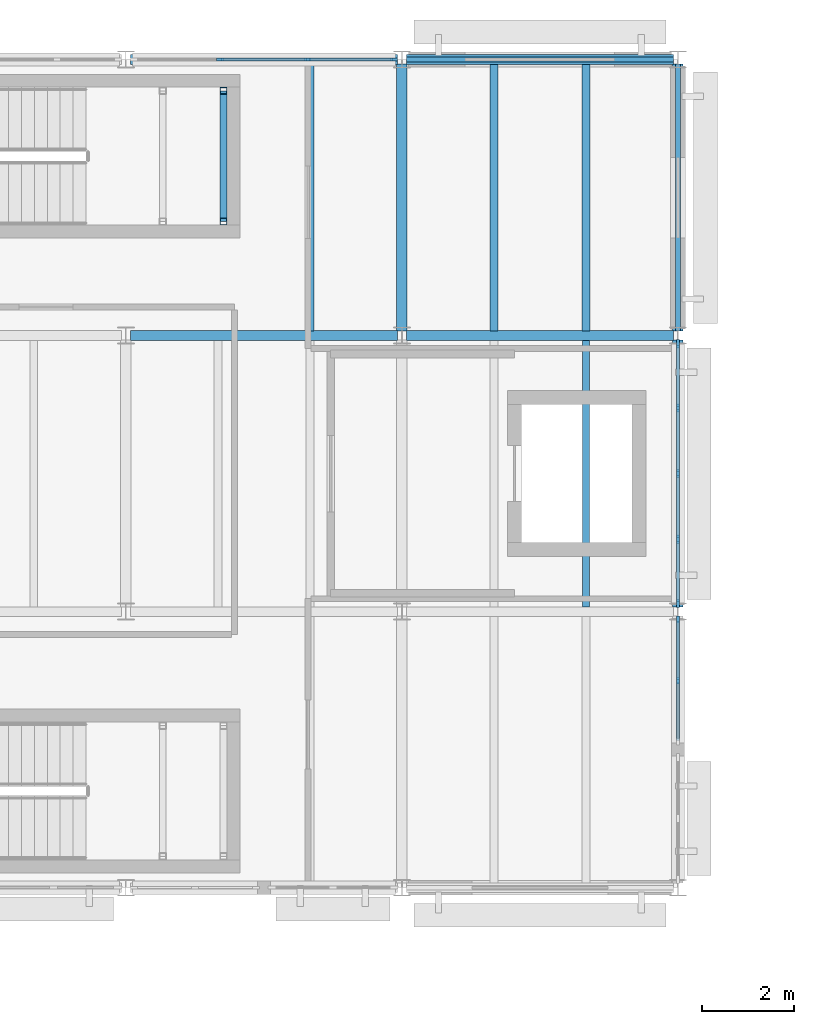
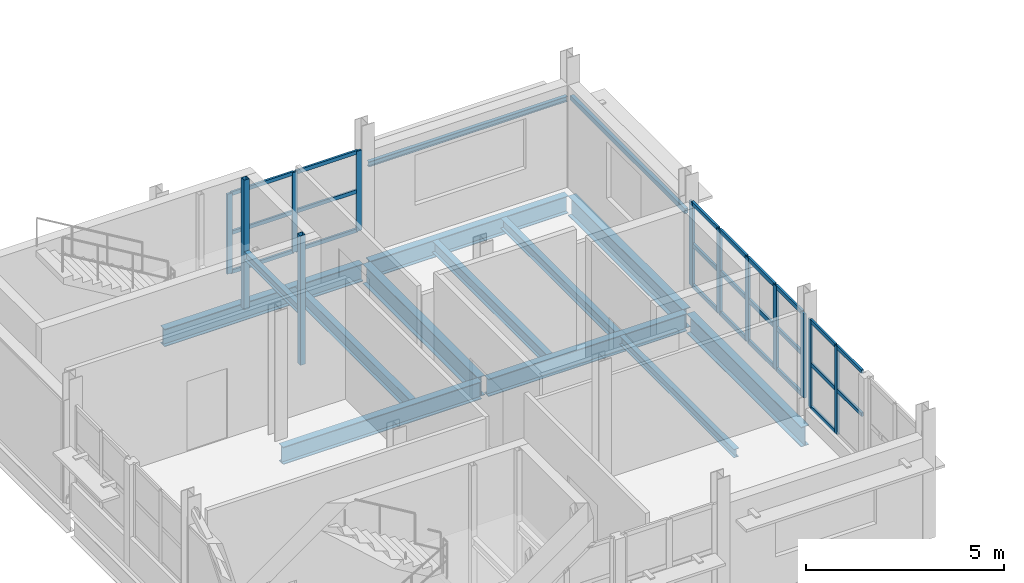
# One storey, part 32 of 92: 35 members, 14 beams, 3 elements without a shape of their own.
"""IFC4 building model written with IfcOpenShell, lengths in metres."""

from ifc_helpers import new_model, si_unit, direction, frame, origin, origin_2d, place, context, subcontext, project, spatial, rectangle, hollow_rectangle, i_section, extrude, material, material_profile, profile_set, type_object, element, aggregate, save


model = new_model("IFC4")

# Units and contexts
model_context = context("Model", 3, precision=1e-05, world=origin(), true_north=direction((0.0, 1.0)))
body_context = subcontext(model_context, "Body", "Model", "MODEL_VIEW")
ifc_project = project(units=[si_unit("LENGTHUNIT", "METRE"), si_unit("AREAUNIT", "SQUARE_METRE"), si_unit("VOLUMEUNIT", "CUBIC_METRE"), si_unit("PLANEANGLEUNIT", "RADIAN"), si_unit("MASSUNIT", "GRAM", prefix="KILO")], contexts=[model_context])

# Site, building, storey
site_placement = place(None, origin())
site = spatial("IfcSite", under=ifc_project, at=site_placement, CompositionType="ELEMENT")
building_placement = place(site_placement, origin())
building = spatial("IfcBuilding", under=site, at=building_placement, Name="Siltcreek Boulevard Central Fire Station", CompositionType="ELEMENT")
storey_placement = place(building_placement, frame((0.0, 0.0, 6.0)))
storey = spatial("IfcBuildingStorey", under=building, at=storey_placement, Name="L02", CompositionType="ELEMENT", Elevation=6.0)

# Beams
ifc_material_1 = material(Name="Structural steel ASTM A992 Gr50", Category="steel")
ifc_material_profile_1 = material_profile(ifc_material_1, i_section(OverallWidth=0.2109375, OverallDepth=0.5390625, WebThickness=0.01171875, FlangeThickness=0.018798828125, at=origin_2d()), Name="W530X109")
ifc_profile_set_1 = profile_set([ifc_material_profile_1], Name="Structural steel ASTM A992 Gr50")
beam_type_1 = type_object("IfcBeamType", Name="BM_W530X109", PredefinedType="BEAM", material=ifc_profile_set_1)
for number, where, z_axis, x_axis, name in (
    (1, (48.10009765625, 106.199951171875, -0.589599609375), (1.0, 0.0, 0.0), (0.0, 1.0, 0.0), "L02 primary steel girder GX-0123"),
    (2, (54.10009765625, 106.199951171875, -0.589599609375), (1.0, 0.0, 0.0), (0.0, 1.0, 0.0), "L02 primary steel girder GX-0124"),
    (3, (48.10009765625, 112.199951171875, -0.589599609375), (1.0, 0.0, 0.0), (0.0, 1.0, 0.0), "L02 primary steel girder GX-0126"),
    (4, (54.10009765625, 112.199951171875, -0.589599609375), (1.0, 0.0, 0.0), (0.0, 1.0, 0.0), "L02 primary steel girder GX-0127"),
):
    element("IfcBeam", number, at=place(storey_placement, frame(where, z_axis=z_axis, x_axis=x_axis)), inside=storey, type_object=beam_type_1, Name=name, PredefinedType="BEAM", context=body_context, shape_type="SweptSolid", body=[
        extrude(i_section(OverallWidth=0.2109375, OverallDepth=0.5390625, WebThickness=0.01171875, FlangeThickness=0.018798828125, at=origin_2d()), origin(), (0.0, 0.0, 1.0), 5.7998046875),
    ])
ifc_material_profile_2 = material_profile(ifc_material_1, i_section(OverallWidth=0.22802734375, OverallDepth=0.60791015625, WebThickness=0.01123046875, FlangeThickness=0.017333984375, at=origin_2d()), Name="W610X113")
ifc_profile_set_2 = profile_set([ifc_material_profile_2], Name="Structural steel ASTM A992 Gr50")
beam_type_2 = type_object("IfcBeamType", Name="BM_W610X113", PredefinedType="BEAM", material=ifc_profile_set_2)
for number, where, z_axis, x_axis, name in (
    (5, (54.0, 106.300048828125, -0.6240234375), (0.0, 1.0, 0.0), (-1.0, 0.0, 0.0), "L02 primary steel girder GY-0134"),
    (6, (60.0, 100.300048828125, -0.6240234375), (0.0, 1.0, 0.0), (-1.0, 0.0, 0.0), "L02 primary steel girder GY-0136"),
    (7, (60.0, 106.300048828125, -0.6240234375), (0.0, 1.0, 0.0), (-1.0, 0.0, 0.0), "L02 primary steel girder GY-0137"),
):
    element("IfcBeam", number, at=place(storey_placement, frame(where, z_axis=z_axis, x_axis=x_axis)), inside=storey, type_object=beam_type_2, Name=name, PredefinedType="BEAM", context=body_context, shape_type="SweptSolid", body=[
        extrude(i_section(OverallWidth=0.22802734375, OverallDepth=0.60791015625, WebThickness=0.01123046875, FlangeThickness=0.017333984375, at=origin_2d()), origin(), (0.0, 0.0, 1.0), 5.800048828125),
    ])

# Members
ifc_material_2 = material(Name="Structural steel ASTM A500 GrC", Category="steel")
ifc_material_profile_3 = material_profile(ifc_material_2, hollow_rectangle(XDim=0.14990234375, YDim=0.14990234375, WallThickness=0.008056640625, at=origin_2d()), Name="HSS150X150X8.0")
ifc_profile_set_3 = profile_set([ifc_material_profile_3], Name="Structural steel ASTM A500 GrC")
member_type_1 = type_object("IfcMemberType", Name="BR_HSS150_8", PredefinedType="BRACE", material=ifc_profile_set_3)
for number, where, z_axis, x_axis, name in (
    (8, (50.1201171875, 108.679931640625, 0.0), (0.0, 0.0, 1.0), (1.0, 0.0, 0.0), "L02 ST-V3B stair landing corner post SE"),
    (9, (50.1201171875, 111.52001953125, 0.0), (0.0, 0.0, 1.0), (1.0, 0.0, 0.0), "L02 ST-V3B stair landing corner post NE"),
):
    element("IfcMember", number, at=place(storey_placement, frame(where, z_axis=z_axis, x_axis=x_axis)), inside=storey, type_object=member_type_1, Name=name, PredefinedType="BRACE", context=body_context, shape_type="SweptSolid", body=[
        extrude(hollow_rectangle(XDim=0.14990234375, YDim=0.14990234375, WallThickness=0.008056640625, at=origin_2d()), origin(), (0.0, 0.0, 1.0), 4.0),
    ])

# Curtain wall, members
ifc_material_3 = material(Name="Anodized aluminum and low-E insulated glazing", Category="aluminium")
curtain_wall_type_1 = type_object("IfcCurtainWallType", Name="CW_SYS_10", PredefinedType="USERDEFINED", material=ifc_material_3)
curtain_wall_1_placement = place(storey_placement, origin())
curtain_wall_1 = element("IfcCurtainWall", 10, at=curtain_wall_1_placement, inside=storey, type_object=curtain_wall_type_1, Name="L02 V3 unitised curtain wall CW-039", ObjectType="CURTAIN WALL", PredefinedType="USERDEFINED")
ifc_material_4 = material(Name="Anodized 6063-T6 aluminum framing", Category="aluminium")
ifc_material_profile_4 = material_profile(ifc_material_4, rectangle(XDim=0.06005859375, YDim=0.14990234375, at=origin_2d()), Name="MULL60X150")
ifc_profile_set_4 = profile_set([ifc_material_profile_4], Name="Anodized 6063-T6 aluminum framing")
member_type_2 = type_object("IfcMemberType", Name="CWM_60X150", PredefinedType="MULLION", material=ifc_profile_set_4)
member_1_placement = place(storey_placement, frame((53.824951171875, 112.199951171875, 0.679931640625), z_axis=(0.0, 0.0, 1.0), x_axis=(0.0, -1.0, 0.0)))
member_1 = element("IfcMember", 11, at=member_1_placement, type_object=member_type_2, Name="CW-039 mullion 1", PredefinedType="MULLION", context=body_context, shape_type="SweptSolid", body=[
    extrude(rectangle(XDim=0.06005859375, YDim=0.14990234375, at=origin_2d()), origin(), (0.0, 0.0, 1.0), 2.47314453125),
])
member_2_placement = place(storey_placement, frame((51.95166015625, 112.199951171875, 0.679931640625), z_axis=(0.0, 0.0, 1.0), x_axis=(0.0, -1.0, 0.0)))
member_2 = element("IfcMember", 12, at=member_2_placement, type_object=member_type_2, Name="CW-039 mullion 2", PredefinedType="MULLION", context=body_context, shape_type="SweptSolid", body=[
    extrude(rectangle(XDim=0.06005859375, YDim=0.14990234375, at=origin_2d()), origin(), (0.0, 0.0, 1.0), 2.47314453125),
])
member_3_placement = place(storey_placement, frame((50.04833984375, 112.199951171875, 0.679931640625), z_axis=(0.0, 0.0, 1.0), x_axis=(0.0, -1.0, 0.0)))
member_3 = element("IfcMember", 13, at=member_3_placement, type_object=member_type_2, Name="CW-039 mullion 3", PredefinedType="MULLION", context=body_context, shape_type="SweptSolid", body=[
    extrude(rectangle(XDim=0.06005859375, YDim=0.14990234375, at=origin_2d()), origin(), (0.0, 0.0, 1.0), 2.47314453125),
])

curtain_wall_type_2 = type_object("IfcCurtainWallType", Name="CW_SYS_14", PredefinedType="USERDEFINED", material=ifc_material_3)
curtain_wall_2_placement = place(storey_placement, origin())
curtain_wall_2 = element("IfcCurtainWall", 14, at=curtain_wall_2_placement, inside=storey, type_object=curtain_wall_type_2, Name="L02 V3 unitised curtain wall CW-043", ObjectType="CURTAIN WALL", PredefinedType="USERDEFINED")
member_4_placement = place(storey_placement, frame((60.0, 98.697509765625, 0.43994140625), z_axis=(0.0, 0.0, 1.0), x_axis=(-1.0, 0.0, 0.0)))
member_4 = element("IfcMember", 15, at=member_4_placement, type_object=member_type_2, Name="CW-043 mullion 2", PredefinedType="MULLION", context=body_context, shape_type="SweptSolid", body=[
    extrude(rectangle(XDim=0.06005859375, YDim=0.14990234375, at=origin_2d()), origin(), (0.0, 0.0, 1.0), 2.717041015625),
])
member_5_placement = place(storey_placement, frame((60.0, 100.02490234375, 0.43994140625), z_axis=(0.0, 0.0, 1.0), x_axis=(-1.0, 0.0, 0.0)))
member_5 = element("IfcMember", 16, at=member_5_placement, type_object=member_type_2, Name="CW-043 mullion 3", PredefinedType="MULLION", context=body_context, shape_type="SweptSolid", body=[
    extrude(rectangle(XDim=0.06005859375, YDim=0.14990234375, at=origin_2d()), origin(), (0.0, 0.0, 1.0), 2.717041015625),
])

curtain_wall_type_3 = type_object("IfcCurtainWallType", Name="CW_SYS_15", PredefinedType="USERDEFINED", material=ifc_material_3)
curtain_wall_3_placement = place(storey_placement, origin())
curtain_wall_3 = element("IfcCurtainWall", 17, at=curtain_wall_3_placement, inside=storey, type_object=curtain_wall_type_3, Name="L02 V3 unitised curtain wall CW-044", ObjectType="CURTAIN WALL", PredefinedType="USERDEFINED")
ifc_material_profile_5 = material_profile(ifc_material_4, rectangle(XDim=0.06494140625, YDim=0.175048828125, at=origin_2d()), Name="MULL65X175")
ifc_profile_set_5 = profile_set([ifc_material_profile_5], Name="Anodized 6063-T6 aluminum framing")
member_type_3 = type_object("IfcMemberType", Name="CWM_65X175", PredefinedType="MULLION", material=ifc_profile_set_5)
member_6_placement = place(storey_placement, frame((60.0, 100.37744140625, 0.56005859375), z_axis=(0.0, 0.0, 1.0), x_axis=(-1.0, 0.0, 0.0)))
member_6 = element("IfcMember", 18, at=member_6_placement, type_object=member_type_3, Name="CW-044 mullion 1", PredefinedType="MULLION", context=body_context, shape_type="SweptSolid", body=[
    extrude(rectangle(XDim=0.06494140625, YDim=0.175048828125, at=origin_2d()), origin(), (0.0, 0.0, 1.0), 2.596923828125),
])
member_7_placement = place(storey_placement, frame((60.0, 101.7724609375, 0.56005859375), z_axis=(0.0, 0.0, 1.0), x_axis=(-1.0, 0.0, 0.0)))
member_7 = element("IfcMember", 19, at=member_7_placement, type_object=member_type_3, Name="CW-044 mullion 2", PredefinedType="MULLION", context=body_context, shape_type="SweptSolid", body=[
    extrude(rectangle(XDim=0.06494140625, YDim=0.175048828125, at=origin_2d()), origin(), (0.0, 0.0, 1.0), 2.596923828125),
])
member_8_placement = place(storey_placement, frame((60.0, 103.199951171875, 0.56005859375), z_axis=(0.0, 0.0, 1.0), x_axis=(-1.0, 0.0, 0.0)))
member_8 = element("IfcMember", 20, at=member_8_placement, type_object=member_type_3, Name="CW-044 mullion 3", PredefinedType="MULLION", context=body_context, shape_type="SweptSolid", body=[
    extrude(rectangle(XDim=0.06494140625, YDim=0.175048828125, at=origin_2d()), origin(), (0.0, 0.0, 1.0), 2.596923828125),
])
member_9_placement = place(storey_placement, frame((60.0, 104.62744140625, 0.56005859375), z_axis=(0.0, 0.0, 1.0), x_axis=(-1.0, 0.0, 0.0)))
member_9 = element("IfcMember", 21, at=member_9_placement, type_object=member_type_3, Name="CW-044 mullion 4", PredefinedType="MULLION", context=body_context, shape_type="SweptSolid", body=[
    extrude(rectangle(XDim=0.06494140625, YDim=0.175048828125, at=origin_2d()), origin(), (0.0, 0.0, 1.0), 2.596923828125),
])
member_10_placement = place(storey_placement, frame((60.0, 106.0224609375, 0.56005859375), z_axis=(0.0, 0.0, 1.0), x_axis=(-1.0, 0.0, 0.0)))
member_10 = element("IfcMember", 22, at=member_10_placement, type_object=member_type_3, Name="CW-044 mullion 5", PredefinedType="MULLION", context=body_context, shape_type="SweptSolid", body=[
    extrude(rectangle(XDim=0.06494140625, YDim=0.175048828125, at=origin_2d()), origin(), (0.0, 0.0, 1.0), 2.596923828125),
])

# Member
ifc_material_profile_6 = material_profile(ifc_material_4, rectangle(XDim=0.06005859375, YDim=0.114990234375, at=origin_2d()), Name="TRAN60X115")
ifc_profile_set_6 = profile_set([ifc_material_profile_6], Name="Anodized 6063-T6 aluminum framing")
member_type_4 = type_object("IfcMemberType", Name="CWT_60X115", PredefinedType="USERDEFINED", material=ifc_profile_set_6)
member_11_placement = place(storey_placement, frame((53.794921875, 112.199951171875, 0.7099609375), z_axis=(-1.0, 0.0, 0.0), x_axis=(0.0, -1.0, 0.0)))
member_11 = element("IfcMember", 23, at=member_11_placement, type_object=member_type_4, Name="CW-039 transom 1.1", ObjectType="TRANSOM", PredefinedType="USERDEFINED", context=body_context, shape_type="SweptSolid", body=[
    extrude(rectangle(XDim=0.06005859375, YDim=0.114990234375, at=origin_2d()), origin(), (0.0, 0.0, 1.0), 1.813232421875),
])

member_12_placement = place(storey_placement, frame((53.794921875, 112.199951171875, 1.91650390625), z_axis=(-1.0, 0.0, 0.0), x_axis=(0.0, -1.0, 0.0)))
member_12 = element("IfcMember", 24, at=member_12_placement, type_object=member_type_4, Name="CW-039 transom 1.2", ObjectType="TRANSOM", PredefinedType="USERDEFINED", context=body_context, shape_type="SweptSolid", body=[
    extrude(rectangle(XDim=0.06005859375, YDim=0.114990234375, at=origin_2d()), origin(), (0.0, 0.0, 1.0), 1.813232421875),
])

member_13_placement = place(storey_placement, frame((53.794921875, 112.199951171875, 3.123046875), z_axis=(-1.0, 0.0, 0.0), x_axis=(0.0, -1.0, 0.0)))
member_13 = element("IfcMember", 25, at=member_13_placement, type_object=member_type_4, Name="CW-039 transom 1.3", ObjectType="TRANSOM", PredefinedType="USERDEFINED", context=body_context, shape_type="SweptSolid", body=[
    extrude(rectangle(XDim=0.06005859375, YDim=0.114990234375, at=origin_2d()), origin(), (0.0, 0.0, 1.0), 1.813232421875),
])

member_14_placement = place(storey_placement, frame((51.921630859375, 112.199951171875, 0.7099609375), z_axis=(-1.0, 0.0, 0.0), x_axis=(0.0, -1.0, 0.0)))
member_14 = element("IfcMember", 26, at=member_14_placement, type_object=member_type_4, Name="CW-039 transom 2.1", ObjectType="TRANSOM", PredefinedType="USERDEFINED", context=body_context, shape_type="SweptSolid", body=[
    extrude(rectangle(XDim=0.06005859375, YDim=0.114990234375, at=origin_2d()), origin(), (0.0, 0.0, 1.0), 1.84326171875),
])

member_15_placement = place(storey_placement, frame((51.921630859375, 112.199951171875, 1.91650390625), z_axis=(-1.0, 0.0, 0.0), x_axis=(0.0, -1.0, 0.0)))
member_15 = element("IfcMember", 27, at=member_15_placement, type_object=member_type_4, Name="CW-039 transom 2.2", ObjectType="TRANSOM", PredefinedType="USERDEFINED", context=body_context, shape_type="SweptSolid", body=[
    extrude(rectangle(XDim=0.06005859375, YDim=0.114990234375, at=origin_2d()), origin(), (0.0, 0.0, 1.0), 1.84326171875),
])

member_16_placement = place(storey_placement, frame((51.921630859375, 112.199951171875, 3.123046875), z_axis=(-1.0, 0.0, 0.0), x_axis=(0.0, -1.0, 0.0)))
member_16 = element("IfcMember", 28, at=member_16_placement, type_object=member_type_4, Name="CW-039 transom 2.3", ObjectType="TRANSOM", PredefinedType="USERDEFINED", context=body_context, shape_type="SweptSolid", body=[
    extrude(rectangle(XDim=0.06005859375, YDim=0.114990234375, at=origin_2d()), origin(), (0.0, 0.0, 1.0), 1.84326171875),
])

aggregate(curtain_wall_1, [member_1, member_2, member_3, member_11, member_12, member_13, member_14, member_15, member_16])

member_17_placement = place(storey_placement, frame((60.0, 97.39990234375, 1.798583984375), z_axis=(0.0, 1.0, 0.0), x_axis=(-1.0, 0.0, 0.0)))
member_17 = element("IfcMember", 29, at=member_17_placement, type_object=member_type_4, Name="CW-043 transom 1.2", ObjectType="TRANSOM", PredefinedType="USERDEFINED", context=body_context, shape_type="SweptSolid", body=[
    extrude(rectangle(XDim=0.06005859375, YDim=0.114990234375, at=origin_2d()), origin(), (0.0, 0.0, 1.0), 1.267578125),
])

member_18_placement = place(storey_placement, frame((60.0, 97.39990234375, 3.126953125), z_axis=(0.0, 1.0, 0.0), x_axis=(-1.0, 0.0, 0.0)))
member_18 = element("IfcMember", 30, at=member_18_placement, type_object=member_type_4, Name="CW-043 transom 1.3", ObjectType="TRANSOM", PredefinedType="USERDEFINED", context=body_context, shape_type="SweptSolid", body=[
    extrude(rectangle(XDim=0.06005859375, YDim=0.114990234375, at=origin_2d()), origin(), (0.0, 0.0, 1.0), 1.267578125),
])

member_19_placement = place(storey_placement, frame((60.0, 98.7275390625, 0.469970703125), z_axis=(0.0, 1.0, 0.0), x_axis=(-1.0, 0.0, 0.0)))
member_19 = element("IfcMember", 31, at=member_19_placement, type_object=member_type_4, Name="CW-043 transom 2.1", ObjectType="TRANSOM", PredefinedType="USERDEFINED", context=body_context, shape_type="SweptSolid", body=[
    extrude(rectangle(XDim=0.06005859375, YDim=0.114990234375, at=origin_2d()), origin(), (0.0, 0.0, 1.0), 1.267578125),
])

member_20_placement = place(storey_placement, frame((60.0, 98.7275390625, 1.798583984375), z_axis=(0.0, 1.0, 0.0), x_axis=(-1.0, 0.0, 0.0)))
member_20 = element("IfcMember", 32, at=member_20_placement, type_object=member_type_4, Name="CW-043 transom 2.2", ObjectType="TRANSOM", PredefinedType="USERDEFINED", context=body_context, shape_type="SweptSolid", body=[
    extrude(rectangle(XDim=0.06005859375, YDim=0.114990234375, at=origin_2d()), origin(), (0.0, 0.0, 1.0), 1.267578125),
])

member_21_placement = place(storey_placement, frame((60.0, 98.7275390625, 3.126953125), z_axis=(0.0, 1.0, 0.0), x_axis=(-1.0, 0.0, 0.0)))
member_21 = element("IfcMember", 33, at=member_21_placement, type_object=member_type_4, Name="CW-043 transom 2.3", ObjectType="TRANSOM", PredefinedType="USERDEFINED", context=body_context, shape_type="SweptSolid", body=[
    extrude(rectangle(XDim=0.06005859375, YDim=0.114990234375, at=origin_2d()), origin(), (0.0, 0.0, 1.0), 1.267578125),
])

aggregate(curtain_wall_2, [member_4, member_5, member_17, member_18, member_19, member_20, member_21])

ifc_material_profile_7 = material_profile(ifc_material_4, rectangle(XDim=0.06494140625, YDim=0.135009765625, at=origin_2d()), Name="TRAN65X135")
ifc_profile_set_7 = profile_set([ifc_material_profile_7], Name="Anodized 6063-T6 aluminum framing")
member_type_5 = type_object("IfcMemberType", Name="CWT_65X135", PredefinedType="USERDEFINED", material=ifc_profile_set_7)
member_22_placement = place(storey_placement, frame((60.0, 100.409912109375, 0.592529296875), z_axis=(0.0, 1.0, 0.0), x_axis=(-1.0, 0.0, 0.0)))
member_22 = element("IfcMember", 34, at=member_22_placement, type_object=member_type_5, Name="CW-044 transom 1.1", ObjectType="TRANSOM", PredefinedType="USERDEFINED", context=body_context, shape_type="SweptSolid", body=[
    extrude(rectangle(XDim=0.06494140625, YDim=0.135009765625, at=origin_2d()), origin(), (0.0, 0.0, 1.0), 1.330078125),
])

member_23_placement = place(storey_placement, frame((60.0, 100.409912109375, 1.8583984375), z_axis=(0.0, 1.0, 0.0), x_axis=(-1.0, 0.0, 0.0)))
member_23 = element("IfcMember", 35, at=member_23_placement, type_object=member_type_5, Name="CW-044 transom 1.2", ObjectType="TRANSOM", PredefinedType="USERDEFINED", context=body_context, shape_type="SweptSolid", body=[
    extrude(rectangle(XDim=0.06494140625, YDim=0.135009765625, at=origin_2d()), origin(), (0.0, 0.0, 1.0), 1.330078125),
])

member_24_placement = place(storey_placement, frame((60.0, 100.409912109375, 3.12451171875), z_axis=(0.0, 1.0, 0.0), x_axis=(-1.0, 0.0, 0.0)))
member_24 = element("IfcMember", 36, at=member_24_placement, type_object=member_type_5, Name="CW-044 transom 1.3", ObjectType="TRANSOM", PredefinedType="USERDEFINED", context=body_context, shape_type="SweptSolid", body=[
    extrude(rectangle(XDim=0.06494140625, YDim=0.135009765625, at=origin_2d()), origin(), (0.0, 0.0, 1.0), 1.330078125),
])

member_25_placement = place(storey_placement, frame((60.0, 101.804931640625, 0.592529296875), z_axis=(0.0, 1.0, 0.0), x_axis=(-1.0, 0.0, 0.0)))
member_25 = element("IfcMember", 37, at=member_25_placement, type_object=member_type_5, Name="CW-044 transom 2.1", ObjectType="TRANSOM", PredefinedType="USERDEFINED", context=body_context, shape_type="SweptSolid", body=[
    extrude(rectangle(XDim=0.06494140625, YDim=0.135009765625, at=origin_2d()), origin(), (0.0, 0.0, 1.0), 1.362548828125),
])

member_26_placement = place(storey_placement, frame((60.0, 101.804931640625, 1.8583984375), z_axis=(0.0, 1.0, 0.0), x_axis=(-1.0, 0.0, 0.0)))
member_26 = element("IfcMember", 38, at=member_26_placement, type_object=member_type_5, Name="CW-044 transom 2.2", ObjectType="TRANSOM", PredefinedType="USERDEFINED", context=body_context, shape_type="SweptSolid", body=[
    extrude(rectangle(XDim=0.06494140625, YDim=0.135009765625, at=origin_2d()), origin(), (0.0, 0.0, 1.0), 1.362548828125),
])

member_27_placement = place(storey_placement, frame((60.0, 101.804931640625, 3.12451171875), z_axis=(0.0, 1.0, 0.0), x_axis=(-1.0, 0.0, 0.0)))
member_27 = element("IfcMember", 39, at=member_27_placement, type_object=member_type_5, Name="CW-044 transom 2.3", ObjectType="TRANSOM", PredefinedType="USERDEFINED", context=body_context, shape_type="SweptSolid", body=[
    extrude(rectangle(XDim=0.06494140625, YDim=0.135009765625, at=origin_2d()), origin(), (0.0, 0.0, 1.0), 1.362548828125),
])

member_28_placement = place(storey_placement, frame((60.0, 103.232421875, 0.592529296875), z_axis=(0.0, 1.0, 0.0), x_axis=(-1.0, 0.0, 0.0)))
member_28 = element("IfcMember", 40, at=member_28_placement, type_object=member_type_5, Name="CW-044 transom 3.1", ObjectType="TRANSOM", PredefinedType="USERDEFINED", context=body_context, shape_type="SweptSolid", body=[
    extrude(rectangle(XDim=0.06494140625, YDim=0.135009765625, at=origin_2d()), origin(), (0.0, 0.0, 1.0), 1.362548828125),
])

member_29_placement = place(storey_placement, frame((60.0, 103.232421875, 1.8583984375), z_axis=(0.0, 1.0, 0.0), x_axis=(-1.0, 0.0, 0.0)))
member_29 = element("IfcMember", 41, at=member_29_placement, type_object=member_type_5, Name="CW-044 transom 3.2", ObjectType="TRANSOM", PredefinedType="USERDEFINED", context=body_context, shape_type="SweptSolid", body=[
    extrude(rectangle(XDim=0.06494140625, YDim=0.135009765625, at=origin_2d()), origin(), (0.0, 0.0, 1.0), 1.362548828125),
])

member_30_placement = place(storey_placement, frame((60.0, 103.232421875, 3.12451171875), z_axis=(0.0, 1.0, 0.0), x_axis=(-1.0, 0.0, 0.0)))
member_30 = element("IfcMember", 42, at=member_30_placement, type_object=member_type_5, Name="CW-044 transom 3.3", ObjectType="TRANSOM", PredefinedType="USERDEFINED", context=body_context, shape_type="SweptSolid", body=[
    extrude(rectangle(XDim=0.06494140625, YDim=0.135009765625, at=origin_2d()), origin(), (0.0, 0.0, 1.0), 1.362548828125),
])

member_31_placement = place(storey_placement, frame((60.0, 104.659912109375, 0.592529296875), z_axis=(0.0, 1.0, 0.0), x_axis=(-1.0, 0.0, 0.0)))
member_31 = element("IfcMember", 43, at=member_31_placement, type_object=member_type_5, Name="CW-044 transom 4.1", ObjectType="TRANSOM", PredefinedType="USERDEFINED", context=body_context, shape_type="SweptSolid", body=[
    extrude(rectangle(XDim=0.06494140625, YDim=0.135009765625, at=origin_2d()), origin(), (0.0, 0.0, 1.0), 1.330078125),
])

member_32_placement = place(storey_placement, frame((60.0, 104.659912109375, 1.8583984375), z_axis=(0.0, 1.0, 0.0), x_axis=(-1.0, 0.0, 0.0)))
member_32 = element("IfcMember", 44, at=member_32_placement, type_object=member_type_5, Name="CW-044 transom 4.2", ObjectType="TRANSOM", PredefinedType="USERDEFINED", context=body_context, shape_type="SweptSolid", body=[
    extrude(rectangle(XDim=0.06494140625, YDim=0.135009765625, at=origin_2d()), origin(), (0.0, 0.0, 1.0), 1.330078125),
])

member_33_placement = place(storey_placement, frame((60.0, 104.659912109375, 3.12451171875), z_axis=(0.0, 1.0, 0.0), x_axis=(-1.0, 0.0, 0.0)))
member_33 = element("IfcMember", 45, at=member_33_placement, type_object=member_type_5, Name="CW-044 transom 4.3", ObjectType="TRANSOM", PredefinedType="USERDEFINED", context=body_context, shape_type="SweptSolid", body=[
    extrude(rectangle(XDim=0.06494140625, YDim=0.135009765625, at=origin_2d()), origin(), (0.0, 0.0, 1.0), 1.330078125),
])

aggregate(curtain_wall_3, [member_6, member_7, member_8, member_9, member_10, member_22, member_23, member_24, member_25, member_26, member_27, member_28, member_29, member_30, member_31, member_32, member_33])

# Beams
ifc_material_profile_8 = material_profile(ifc_material_1, i_section(OverallWidth=0.14697265625, OverallDepth=0.261962890625, WebThickness=0.006591796875, FlangeThickness=0.01123046875, at=origin_2d()), Name="W250X39")
ifc_profile_set_8 = profile_set([ifc_material_profile_8], Name="Structural steel ASTM A992 Gr50")
beam_type_3 = type_object("IfcBeamType", Name="JST_W250X39", PredefinedType="JOIST", material=ifc_profile_set_8)
beam_1_placement = place(storey_placement, frame((58.0, 100.303466796875, -0.450927734375), z_axis=(0.0, 1.0, 0.0), x_axis=(-1.0, 0.0, 0.0)))
element("IfcBeam", 46, at=beam_1_placement, inside=storey, type_object=beam_type_3, Name="L02 secondary steel floor joist 0116", PredefinedType="JOIST", context=body_context, shape_type="SweptSolid", body=[
    extrude(i_section(OverallWidth=0.14697265625, OverallDepth=0.261962890625, WebThickness=0.006591796875, FlangeThickness=0.01123046875, at=origin_2d()), origin(), (0.0, 0.0, 1.0), 5.79296875),
])
beam_2_placement = place(storey_placement, frame((50.1201171875, 108.679931640625, 1.6689453125), z_axis=(0.0, 1.0, 0.0), x_axis=(-1.0, 0.0, 0.0)))
element("IfcBeam", 47, at=beam_2_placement, inside=storey, type_object=beam_type_3, Name="L02 ST-V3B stair landing bearer MIDE", PredefinedType="JOIST", context=body_context, shape_type="SweptSolid", body=[
    extrude(i_section(OverallWidth=0.14697265625, OverallDepth=0.261962890625, WebThickness=0.006591796875, FlangeThickness=0.01123046875, at=origin_2d()), origin(), (0.0, 0.0, 1.0), 2.840087890625),
])
ifc_material_profile_9 = material_profile(ifc_material_1, i_section(OverallWidth=0.166015625, OverallDepth=0.31298828125, WebThickness=0.006591796875, FlangeThickness=0.01123046875, at=origin_2d()), Name="W310X45")
ifc_profile_set_9 = profile_set([ifc_material_profile_9], Name="Structural steel ASTM A992 Gr50")
beam_type_4 = type_object("IfcBeamType", Name="JST_W310X45", PredefinedType="JOIST", material=ifc_profile_set_9)
beam_3_placement = place(storey_placement, frame((58.0, 106.303466796875, -0.4765625), z_axis=(0.0, 1.0, 0.0), x_axis=(-1.0, 0.0, 0.0)))
element("IfcBeam", 48, at=beam_3_placement, inside=storey, type_object=beam_type_4, Name="L02 secondary steel floor joist 0120", PredefinedType="JOIST", context=body_context, shape_type="SweptSolid", body=[
    extrude(i_section(OverallWidth=0.166015625, OverallDepth=0.31298828125, WebThickness=0.006591796875, FlangeThickness=0.01123046875, at=origin_2d()), origin(), (0.0, 0.0, 1.0), 5.79296875),
])
ifc_material_profile_10 = material_profile(ifc_material_1, i_section(OverallWidth=0.172119140625, OverallDepth=0.35791015625, WebThickness=0.0078125, FlangeThickness=0.01318359375, at=origin_2d()), Name="W360X57")
ifc_profile_set_10 = profile_set([ifc_material_profile_10], Name="Structural steel ASTM A992 Gr50")
beam_type_5 = type_object("IfcBeamType", Name="JST_W360X57", PredefinedType="JOIST", material=ifc_profile_set_10)
beam_4_placement = place(storey_placement, frame((56.0, 106.303466796875, -0.4990234375), z_axis=(0.0, 1.0, 0.0), x_axis=(-1.0, 0.0, 0.0)))
element("IfcBeam", 49, at=beam_4_placement, inside=storey, type_object=beam_type_5, Name="L02 secondary steel floor joist 0119", PredefinedType="JOIST", context=body_context, shape_type="SweptSolid", body=[
    extrude(i_section(OverallWidth=0.172119140625, OverallDepth=0.35791015625, WebThickness=0.0078125, FlangeThickness=0.01318359375, at=origin_2d()), origin(), (0.0, 0.0, 1.0), 5.79296875),
])
ifc_material_profile_11 = material_profile(ifc_material_1, i_section(OverallWidth=0.177001953125, OverallDepth=0.403076171875, WebThickness=0.007568359375, FlangeThickness=0.010986328125, at=origin_2d()), Name="W410X53")
ifc_profile_set_11 = profile_set([ifc_material_profile_11], Name="Structural steel ASTM A992 Gr50")
beam_type_6 = type_object("IfcBeamType", Name="JST_W410X53", PredefinedType="JOIST", material=ifc_profile_set_11)
beam_5_placement = place(storey_placement, frame((52.0, 106.303466796875, -0.521484375), z_axis=(0.0, 1.0, 0.0), x_axis=(-1.0, 0.0, 0.0)))
element("IfcBeam", 50, at=beam_5_placement, inside=storey, type_object=beam_type_6, Name="L02 secondary steel floor joist 0118", PredefinedType="JOIST", context=body_context, shape_type="SweptSolid", body=[
    extrude(i_section(OverallWidth=0.177001953125, OverallDepth=0.403076171875, WebThickness=0.007568359375, FlangeThickness=0.010986328125, at=origin_2d()), origin(), (0.0, 0.0, 1.0), 5.79296875),
])
ifc_material_profile_12 = material_profile(ifc_material_2, hollow_rectangle(XDim=0.10009765625, YDim=0.14990234375, WallThickness=0.00634765625, at=origin_2d()), Name="HSS150X100X6.4")
ifc_profile_set_12 = profile_set([ifc_material_profile_12], Name="Structural steel ASTM A500 GrC")
beam_type_7 = type_object("IfcBeamType", Name="LIN_HSS150X100", PredefinedType="LINTEL", material=ifc_profile_set_12)
beam_6_placement = place(storey_placement, frame((60.0, 106.300048828125, 2.68994140625), z_axis=(0.0, 1.0, 0.0), x_axis=(-1.0, 0.0, 0.0)))
element("IfcBeam", 51, at=beam_6_placement, inside=storey, type_object=beam_type_7, Name="Exterior window steel lintel WLN-21", PredefinedType="LINTEL", context=body_context, shape_type="SweptSolid", body=[
    extrude(hollow_rectangle(XDim=0.10009765625, YDim=0.14990234375, WallThickness=0.00634765625, at=origin_2d()), origin(), (0.0, 0.0, 1.0), 5.800048828125),
])
ifc_material_profile_13 = material_profile(ifc_material_1, i_section(OverallWidth=0.10205078125, OverallDepth=0.159912109375, WebThickness=0.006591796875, FlangeThickness=0.01025390625, at=origin_2d()), Name="W150X24")
ifc_profile_set_13 = profile_set([ifc_material_profile_13], Name="Structural steel ASTM A992 Gr50")
beam_type_8 = type_object("IfcBeamType", Name="LIN_W150X24", PredefinedType="LINTEL", material=ifc_profile_set_13)
beam_7_placement = place(storey_placement, frame((59.89990234375, 112.199951171875, 2.639892578125), z_axis=(-1.0, 0.0, 0.0), x_axis=(0.0, -1.0, 0.0)))
element("IfcBeam", 52, at=beam_7_placement, inside=storey, type_object=beam_type_8, Name="Exterior window steel lintel WLN-20", PredefinedType="LINTEL", context=body_context, shape_type="SweptSolid", body=[
    extrude(i_section(OverallWidth=0.10205078125, OverallDepth=0.159912109375, WebThickness=0.006591796875, FlangeThickness=0.01025390625, at=origin_2d()), origin(), (0.0, 0.0, 1.0), 5.7998046875),
])

save(model, "model.ifc")
